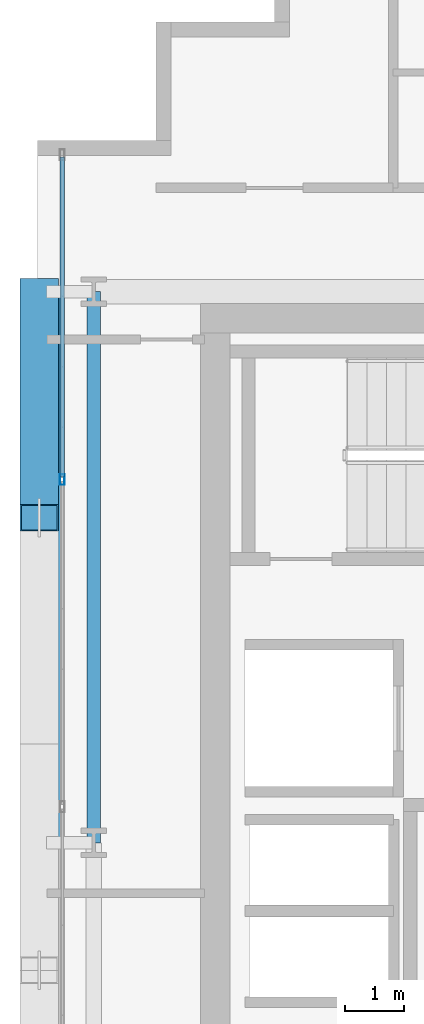
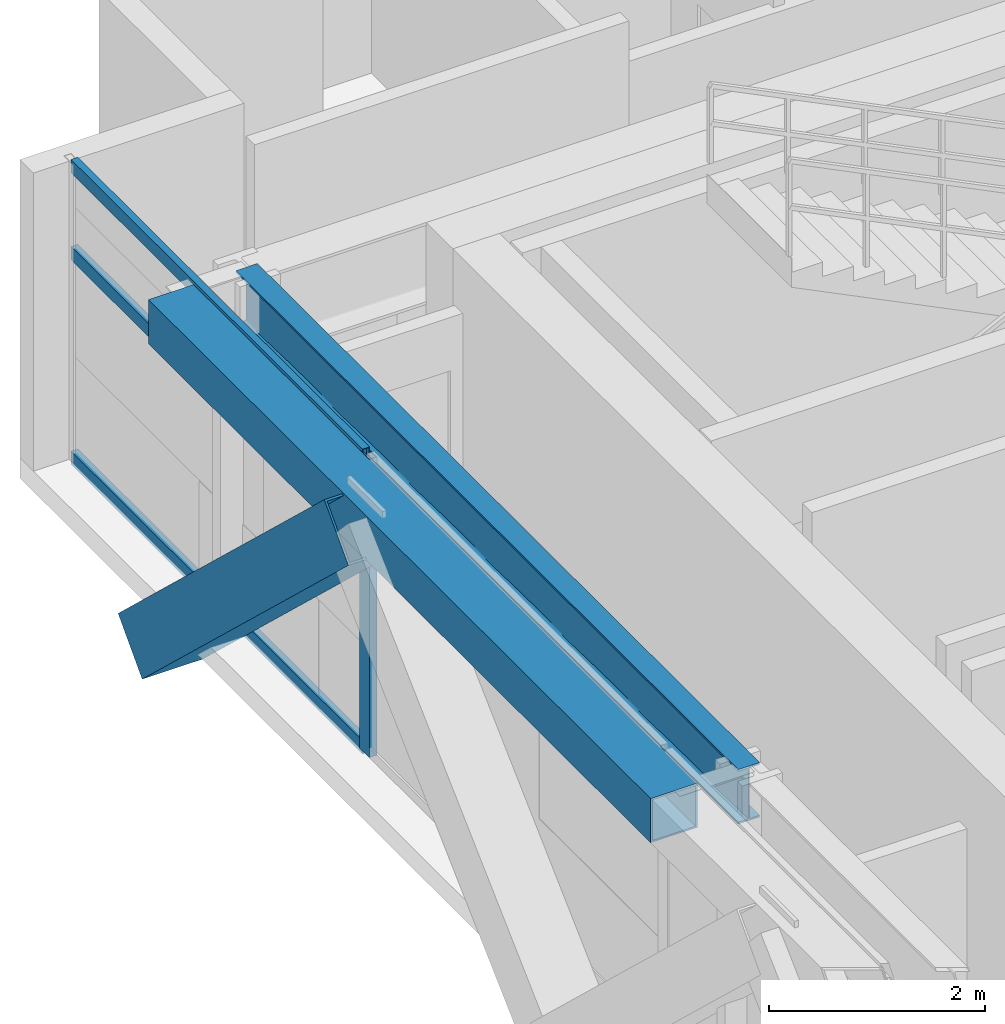
# One storey, part 8 of 31: 5 members, 2 beams, 1 element without a shape of its own.
"""IFC4 building model written with IfcOpenShell, lengths in metres."""

from ifc_helpers import new_model, si_unit, direction, frame, origin, origin_2d, place, context, subcontext, project, spatial, hollow_rectangle, i_section, extrude, source, transform, mapped, material, layer, layer_set, material_profile, profile_set, type_object, element, aggregate, save


model = new_model("IFC4")

# Units and contexts
model_context = context("Model", 3, precision=1e-05, world=origin(), true_north=direction((0.0, 1.0)))
body_context = subcontext(model_context, "Body", "Model", "MODEL_VIEW")
ifc_project = project(units=[si_unit("LENGTHUNIT", "METRE"), si_unit("AREAUNIT", "SQUARE_METRE"), si_unit("VOLUMEUNIT", "CUBIC_METRE"), si_unit("PLANEANGLEUNIT", "RADIAN"), si_unit("MASSUNIT", "GRAM", prefix="KILO")], contexts=[model_context])

# Site, building, storey
site_placement = place(None, origin())
site = spatial("IfcSite", under=ifc_project, at=site_placement, CompositionType="ELEMENT")
building_placement = place(site_placement, origin())
building = spatial("IfcBuilding", under=site, at=building_placement, Name="Ocotamira Hotel", CompositionType="ELEMENT")
storey_placement = place(building_placement, frame((0.0, 0.0, 202.800048828125)))
storey = spatial("IfcBuildingStorey", under=building, at=storey_placement, Name="L51", CompositionType="ELEMENT", Elevation=202.800048828125)

# Beams
ifc_material_1 = material(Name="Steel ASTM A992 Grade 50", Category="steel")
ifc_material_profile_1 = material_profile(ifc_material_1, i_section(OverallWidth=0.22998046875, OverallDepth=0.616943359375, WebThickness=0.01318359375, FlangeThickness=0.022216796875, FilletRadius=0.012939453125, at=origin_2d()), Name="W24X94")
ifc_profile_set_1 = profile_set([ifc_material_profile_1], Name="Steel ASTM A992 Grade 50")
beam_type_1 = type_object("IfcBeamType", Name="BM-PRIM-W24X94", PredefinedType="BEAM", material=ifc_profile_set_1)
shared_shape_1 = source(origin(), body_context, "Body", "SweptSolid", [
    extrude(i_section(OverallWidth=0.22998046875, OverallDepth=0.616943359375, WebThickness=0.01318359375, FlangeThickness=0.022216796875, FilletRadius=0.012939453125, at=origin_2d()), origin(), (0.0, 0.0, 1.0), 9.300048828125),
])
beam_1_placement = place(storey_placement, frame((8.949951171875, 28.14990234375, 3.0615234375), z_axis=(0.0, 1.0, 0.0), x_axis=(-1.0, 0.0, 0.0)))
element("IfcBeam", 1, at=beam_1_placement, inside=storey, type_object=beam_type_1, Name="L51 Beam X8.95 Y28.15-37.45", PredefinedType="BEAM", context=body_context, shape_type="MappedRepresentation", body=[
    mapped(shared_shape_1, transform((0.0, 0.0, 0.0), scale=1.0)),
])
ifc_material_2 = material(Name="Steel ASTM A500 Grade C", Category="steel")
ifc_material_profile_2 = material_profile(ifc_material_2, hollow_rectangle(XDim=0.5, YDim=0.5, WallThickness=0.02001953125, at=origin_2d()), Name="HSS500X500X20")
ifc_profile_set_2 = profile_set([ifc_material_profile_2], Name="Steel ASTM A500 Grade C")
beam_type_2 = type_object("IfcBeamType", Name="BM-SPAN-HSS500", PredefinedType="USERDEFINED", material=ifc_profile_set_2)
shared_shape_2 = source(origin(), body_context, "Body", "SweptSolid", [
    extrude(hollow_rectangle(XDim=0.5, YDim=0.5, WallThickness=0.02001953125, at=origin_2d()), origin(), (0.0, 0.0, 1.0), 9.300048828125),
])
beam_2_placement = place(storey_placement, frame((8.14990234375, 28.14990234375, 3.119873046875), z_axis=(0.0, 1.0, 0.0), x_axis=(-1.0, 0.0, 0.0)))
element("IfcBeam", 2, at=beam_2_placement, inside=storey, type_object=beam_type_2, Name="L51 Edge Spandrel W Y28.15-37.45", ObjectType="SPANDREL", PredefinedType="USERDEFINED", context=body_context, shape_type="MappedRepresentation", body=[
    mapped(shared_shape_2, transform((0.0, 0.0, 0.0), scale=1.0)),
])

# Member
ifc_material_3 = material(Name="Pale-metal coated steel ASTM A913 Grade 65", Category="steel")
ifc_material_profile_3 = material_profile(ifc_material_3, hollow_rectangle(XDim=0.64990234375, YDim=0.64990234375, WallThickness=0.02197265625, at=origin_2d()), Name="BOX650X650X22")
ifc_profile_set_3 = profile_set([ifc_material_profile_3], Name="Pale-metal coated steel ASTM A913 Grade 65")
member_type_1 = type_object("IfcMemberType", Name="MEM-EXO-BOX650", PredefinedType="BRACE", material=ifc_profile_set_3)
shared_shape_3 = source(origin(), body_context, "Body", "SweptSolid", [
    extrude(hollow_rectangle(XDim=0.64990234375, YDim=0.64990234375, WallThickness=0.02197265625, at=origin_2d()), origin(), (0.0, 0.0, 1.0), 5.24658203125),
])
member_1_placement = place(storey_placement, frame((8.030029296875, 37.449951171875, -0.47998046875), z_axis=(0.0, -0.72746596067, 0.686143772154), x_axis=(1.0, 0.0, 0.0)))
element("IfcMember", 3, at=member_1_placement, inside=storey, type_object=member_type_1, Name="L51 Exoskeleton Diagrid W2.2", PredefinedType="BRACE", context=body_context, shape_type="MappedRepresentation", body=[
    mapped(shared_shape_3, transform((0.0, 0.0, 0.0), scale=1.0)),
])

# Curtain wall, members
ifc_material_4 = material(Name="Anodised pale-metal aluminium and solar glass", Category="aluminium")
ifc_layer = layer(ifc_material_4, 0.199951171875)
ifc_layer_set = layer_set([ifc_layer], Name="Anodised pale-metal aluminium and solar glass")
curtain_wall_type = type_object("IfcCurtainWallType", Name="CW-SYS4-Z3", PredefinedType="NOTDEFINED", material=ifc_layer_set)
curtain_wall_placement = place(storey_placement, origin())
curtain_wall = element("IfcCurtainWall", 4, at=curtain_wall_placement, inside=storey, type_object=curtain_wall_type, Name="L51 Curtain Wall CW-4 CW-L51-W", PredefinedType="NOTDEFINED")
ifc_material_5 = material(Name="Anodised pale-metal aluminium 6063-T6", Category="aluminium")
ifc_material_profile_4 = material_profile(ifc_material_5, hollow_rectangle(XDim=0.074951171875, YDim=0.14990234375, WallThickness=0.006103515625, at=origin_2d()), Name="HSS150X75X6")
ifc_profile_set_4 = profile_set([ifc_material_profile_4], Name="Anodised pale-metal aluminium 6063-T6")
member_type_2 = type_object("IfcMemberType", Name="CWT-150X75", PredefinedType="USERDEFINED", material=ifc_profile_set_4)
shared_shape_4 = source(origin(), body_context, "Body", "SweptSolid", [
    extrude(hollow_rectangle(XDim=0.074951171875, YDim=0.14990234375, WallThickness=0.006103515625, at=origin_2d()), origin(), (0.0, 0.0, 1.0), 5.39990234375),
])
member_2_placement = place(storey_placement, frame((8.419921875, 34.320068359375, 0.037353515625), z_axis=(0.0, 1.0, 0.0), x_axis=(-1.0, 0.0, 0.0)))
member_2 = element("IfcMember", 5, at=member_2_placement, type_object=member_type_2, Name="CW-4 transom 5.1", ObjectType="TRANSOM", PredefinedType="USERDEFINED", context=body_context, shape_type="MappedRepresentation", body=[
    mapped(shared_shape_4, transform((0.0, 0.0, 0.0), scale=1.0)),
])
member_3_placement = place(storey_placement, frame((8.419921875, 34.320068359375, 2.349853515625), z_axis=(0.0, 1.0, 0.0), x_axis=(-1.0, 0.0, 0.0)))
member_3 = element("IfcMember", 6, at=member_3_placement, type_object=member_type_2, Name="CW-4 transom 5.2", ObjectType="TRANSOM", PredefinedType="USERDEFINED", context=body_context, shape_type="MappedRepresentation", body=[
    mapped(shared_shape_4, transform((0.0, 0.0, 0.0), scale=1.0)),
])
member_4_placement = place(storey_placement, frame((8.419921875, 34.320068359375, 3.33251953125), z_axis=(0.0, 1.0, 0.0), x_axis=(-1.0, 0.0, 0.0)))
member_4 = element("IfcMember", 7, at=member_4_placement, type_object=member_type_2, Name="CW-4 transom 5.3", ObjectType="TRANSOM", PredefinedType="USERDEFINED", context=body_context, shape_type="MappedRepresentation", body=[
    mapped(shared_shape_4, transform((0.0, 0.0, 0.0), scale=1.0)),
])
ifc_material_profile_5 = material_profile(ifc_material_5, hollow_rectangle(XDim=0.080078125, YDim=0.179931640625, WallThickness=0.006103515625, at=origin_2d()), Name="HSS180X80X6")
ifc_profile_set_5 = profile_set([ifc_material_profile_5], Name="Anodised pale-metal aluminium 6063-T6")
member_type_3 = type_object("IfcMemberType", Name="CWM-180X75", PredefinedType="MULLION", material=ifc_profile_set_5)
shared_shape_5 = source(origin(), body_context, "Body", "SweptSolid", [
    extrude(hollow_rectangle(XDim=0.080078125, YDim=0.179931640625, WallThickness=0.006103515625, at=origin_2d()), origin(), (0.0, 0.0, 1.0), 3.369873046875),
])
member_5_placement = place(storey_placement, frame((8.419921875, 34.280029296875, 0.0), z_axis=(0.0, 0.0, 1.0), x_axis=(-1.0, 0.0, 0.0)))
member_5 = element("IfcMember", 8, at=member_5_placement, type_object=member_type_3, Name="CW-4 mullion 5", PredefinedType="MULLION", context=body_context, shape_type="MappedRepresentation", body=[
    mapped(shared_shape_5, transform((0.0, 0.0, 0.0), scale=1.0)),
])
aggregate(curtain_wall, [member_5, member_2, member_3, member_4])

save(model, "model.ifc")
